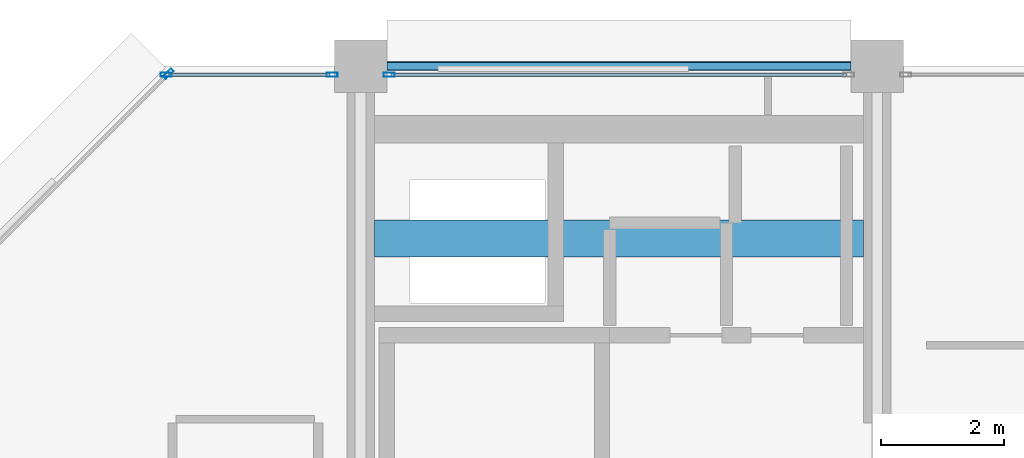
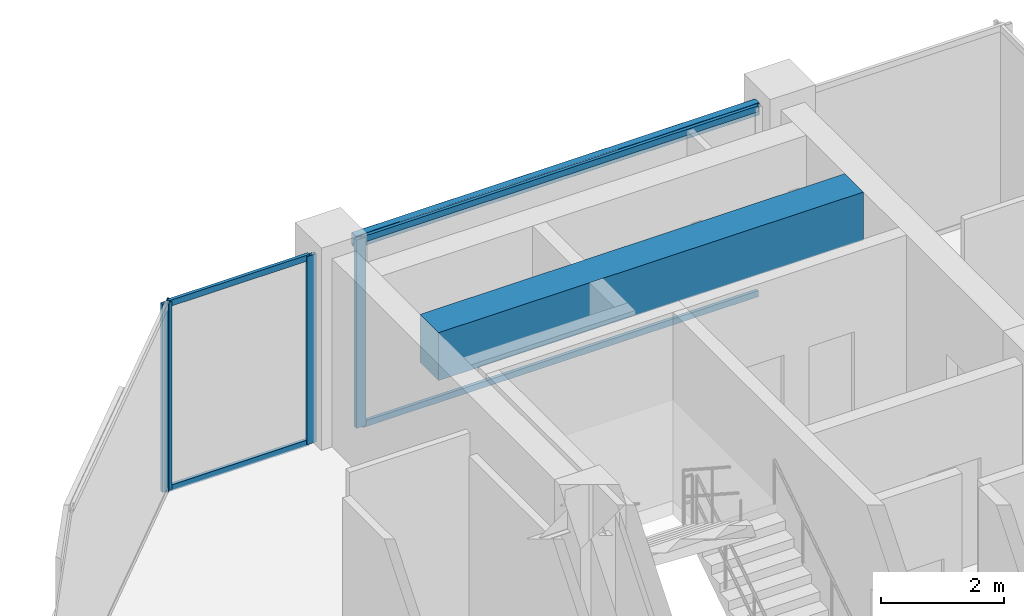
# One storey, part 17 of 25: 8 members, 2 beams, 3 elements without a shape of their own.
"""IFC4 building model written with IfcOpenShell, lengths in metres."""

import ifcopenshell
import ifcopenshell.guid

model = None  # the IFC model being written
_history = None  # IfcOwnerHistory: only IFC2X3 demands one
_inside = {}  # id of a spatial element -> (the spatial element, [elements in it])
_under = {}  # id of a project, library or spatial element -> (it, [spatial elements below it])
_declared = {}  # id of a project -> (the project, [libraries it declares])
_typed = {}  # id of a type object -> (the type object, [elements of that type])
_made_of = {}  # id of a material, layer set ... -> (it, [elements and type objects made of it])


def new_model(schema):
    """Start an empty IFC model of exactly this schema.

    Asked for "IFC4X3", IfcOpenShell would pick the latest addendum, in which some entities
    have other attributes; the version numbers below select the first issue.
    IFC2X3 requires an IfcOwnerHistory on every rooted entity: one is made here for all.
    """
    global model, _history
    if schema == "IFC4X3":
        model = ifcopenshell.file(schema_version=(4, 3, 0, 0))
    else:
        model = ifcopenshell.file(schema=schema)
    _inside.clear()
    _under.clear()
    _declared.clear()
    _typed.clear()
    _made_of.clear()
    _history = None
    if model.schema == "IFC2X3":
        org = make("IfcOrganization", Name="unknown")
        user = make(
            "IfcPersonAndOrganization",
            ThePerson=make("IfcPerson", FamilyName="unknown"),
            TheOrganization=org,
        )
        app = make(
            "IfcApplication",
            ApplicationDeveloper=org,
            Version="unknown",
            ApplicationFullName="unknown",
            ApplicationIdentifier="unknown",
        )
        _history = make(
            "IfcOwnerHistory",
            OwningUser=user,
            OwningApplication=app,
            ChangeAction="ADDED",
            CreationDate=0,
        )
    return model


def make(cls, **values):
    """One entity of the class cls with the attributes given. An attribute that is None is left unset."""
    return model.create_entity(
        cls, **{name: value for name, value in values.items() if value is not None}
    )


def rooted(cls, **values):
    """An entity with a GlobalId (a new one), such as an element, a storey or a relation."""
    return make(cls, GlobalId=ifcopenshell.guid.new(), OwnerHistory=_history, **values)


def si_unit(unit_type, name, prefix=None):
    """IfcSIUnit, for example si_unit("LENGTHUNIT", "METRE", prefix="MILLI")."""
    return make("IfcSIUnit", UnitType=unit_type, Prefix=prefix, Name=name)


def assignment(units):
    """IfcUnitAssignment: the units of a project."""
    return None if units is None else make("IfcUnitAssignment", Units=units)


def point(xyz):
    """IfcCartesianPoint."""
    return None if xyz is None else make("IfcCartesianPoint", Coordinates=xyz)


def direction(xyz):
    """IfcDirection."""
    return None if xyz is None else make("IfcDirection", DirectionRatios=xyz)


def frame(location, z_axis=None, x_axis=None):
    """IfcAxis2Placement3D, a coordinate frame: its origin and axes. An axis left out is left unset."""
    return make(
        "IfcAxis2Placement3D",
        Location=point(location),
        Axis=direction(z_axis),
        RefDirection=direction(x_axis),
    )


def frame_2d(location, x_axis=None):
    """IfcAxis2Placement2D, a coordinate frame in the plane: its origin and x axis."""
    return make(
        "IfcAxis2Placement2D", Location=point(location), RefDirection=direction(x_axis)
    )


def origin():
    """The frame at (0, 0, 0) with its axes left unset."""
    return frame((0.0, 0.0, 0.0))


def origin_2d():
    """The frame at (0, 0) in the plane with its x axis left unset."""
    return frame_2d((0.0, 0.0))


def place(relative_to, where):
    """IfcLocalPlacement: puts the frame where relative to a parent placement (None: the world)."""
    return make(
        "IfcLocalPlacement", PlacementRelTo=relative_to, RelativePlacement=where
    )


def context(
    kind, dimensions, precision=None, world=None, true_north=None, identifier=None
):
    """IfcGeometricRepresentationContext, for example the 3D "Model" context."""
    return make(
        "IfcGeometricRepresentationContext",
        ContextIdentifier=identifier,
        ContextType=kind,
        CoordinateSpaceDimension=dimensions,
        Precision=precision,
        WorldCoordinateSystem=world,
        TrueNorth=true_north,
    )


def subcontext(parent, identifier, kind, view, scale=None):
    """IfcGeometricRepresentationSubContext, for example "Body" below "Model"."""
    return make(
        "IfcGeometricRepresentationSubContext",
        ContextIdentifier=identifier,
        ContextType=kind,
        ParentContext=parent,
        TargetScale=scale,
        TargetView=view,
    )


def project(units=None, contexts=None):
    """IfcProject with its units and contexts."""
    return rooted(
        "IfcProject",
        Name="project",
        RepresentationContexts=contexts,
        UnitsInContext=assignment(units),
    )


def spatial(cls, under=None, at=None, **own):
    """A site, building, storey or space (cls), placed at a placement, below another one or the project."""
    s = rooted(cls, ObjectPlacement=at, **own)
    if under is not None:
        _under.setdefault(under.id(), (under, []))[1].append(s)
    return s


def profile(cls, at=None, kind="AREA", **sizes):
    """A parametric profile (cls). Its sizes go by their IFC names, for example OverallWidth=200.0."""
    return make(cls, ProfileType=kind, Position=at, **sizes)


def rectangle(**sizes):
    """IfcRectangleProfileDef."""
    return profile("IfcRectangleProfileDef", **sizes)


def hollow_rectangle(**sizes):
    """IfcRectangleHollowProfileDef."""
    return profile("IfcRectangleHollowProfileDef", **sizes)


def extrude(swept, where, along, depth):
    """IfcExtrudedAreaSolid: the profile swept, set in the frame where, extruded along a direction by depth."""
    return make(
        "IfcExtrudedAreaSolid",
        SweptArea=swept,
        Position=where,
        ExtrudedDirection=direction(along),
        Depth=depth,
    )


def shape(context_of_items, identifier, shape_type, items):
    """IfcShapeRepresentation: the items that make up one representation, for example the "Body"."""
    return make(
        "IfcShapeRepresentation",
        ContextOfItems=context_of_items,
        RepresentationIdentifier=identifier,
        RepresentationType=shape_type,
        Items=items,
    )


def material(Name=None, Category=None):
    """IfcMaterial."""
    return make("IfcMaterial", Name=Name, Category=Category)


def layer(
    of_material, thickness, ventilated=None, Name=None, Category=None, Priority=None
):
    """IfcMaterialLayer: one layer of a wall or slab, of a material (None: an air gap)."""
    return make(
        "IfcMaterialLayer",
        Material=of_material,
        LayerThickness=thickness,
        IsVentilated=ventilated,
        Name=Name,
        Category=Category,
        Priority=Priority,
    )


def layer_set(layers, Name=None):
    """IfcMaterialLayerSet."""
    return make("IfcMaterialLayerSet", MaterialLayers=layers, LayerSetName=Name)


def material_profile(
    of_material, cross_section, Name=None, Category=None, Priority=None
):
    """IfcMaterialProfile: a cross section and its material."""
    return make(
        "IfcMaterialProfile",
        Name=Name,
        Material=of_material,
        Profile=cross_section,
        Priority=Priority,
        Category=Category,
    )


def profile_set(profiles, Name=None, composite=None):
    """IfcMaterialProfileSet."""
    return make(
        "IfcMaterialProfileSet",
        Name=Name,
        MaterialProfiles=profiles,
        CompositeProfile=composite,
    )


def made_of(thing, what):
    """Note that an element or type object is made of a material, layer set ...; save() writes the relation."""
    if what is not None:
        _made_of.setdefault(what.id(), (what, []))[1].append(thing)
    return thing


def type_object(cls, material=None, **own):
    """A type object (cls), such as IfcWallType, which elements share."""
    return made_of(rooted(cls, **own), material)


def element(
    cls,
    number,
    at=None,
    inside=None,
    cuts=None,
    type_object=None,
    material=None,
    context=None,
    identifier="Body",
    shape_type=None,
    held_by="IfcProductDefinitionShape",
    body=None,
    shapes=None,
    **own,
):
    """One element of the class cls, such as IfcWall. Its Tag is "e" and its number.

    at: its placement. inside: the storey or other place that contains it. cuts: it is an
    opening in that element (IfcRelVoidsElement). A single representation is given by context,
    identifier, shape_type and body (its items); several are given by shapes. held_by: the class
    of the entity that holds the representations. save() writes the other relations.
    """
    e = rooted(cls, Tag="e%d" % number, ObjectPlacement=at, **own)
    if body is not None:
        shapes = [shape(context, identifier, shape_type, body)]
    if shapes is not None:
        e.Representation = make(held_by, Representations=shapes)
    if inside is not None:
        _inside.setdefault(inside.id(), (inside, []))[1].append(e)
    if cuts is not None:
        rooted(
            "IfcRelVoidsElement", RelatingBuildingElement=cuts, RelatedOpeningElement=e
        )
    if type_object is not None:
        _typed.setdefault(type_object.id(), (type_object, []))[1].append(e)
    return made_of(e, material)


def aggregate(whole, parts):
    """IfcRelAggregates: a whole, such as a stair, and the parts it consists of."""
    return rooted("IfcRelAggregates", RelatingObject=whole, RelatedObjects=parts)


def save(model, path):
    """Write the relations noted so far, then the file.

    IfcRelAggregates (storeys below a building ...), IfcRelContainedInSpatialStructure (elements
    in a storey), IfcRelDefinesByType, IfcRelAssociatesMaterial and IfcRelDeclares: one each for
    every whole, place, type object, material and project.
    """
    for whole, parts in _under.values():
        aggregate(whole, parts)
    for where, things in _inside.values():
        rooted(
            "IfcRelContainedInSpatialStructure",
            RelatedElements=things,
            RelatingStructure=where,
        )
    for kind, things in _typed.values():
        rooted("IfcRelDefinesByType", RelatedObjects=things, RelatingType=kind)
    for what, things in _made_of.values():
        rooted("IfcRelAssociatesMaterial", RelatedObjects=things, RelatingMaterial=what)
    for by, libraries in _declared.values():
        rooted("IfcRelDeclares", RelatingContext=by, RelatedDefinitions=libraries)
    model.write(path)


model = new_model("IFC4")

# Units and contexts
model_context = context("Model", 3, precision=1e-05, world=origin(), true_north=direction((0.0, 1.0)))
body_context = subcontext(model_context, "Body", "Model", "MODEL_VIEW")
ifc_project = project(units=[si_unit("LENGTHUNIT", "METRE"), si_unit("AREAUNIT", "SQUARE_METRE"), si_unit("VOLUMEUNIT", "CUBIC_METRE"), si_unit("PLANEANGLEUNIT", "RADIAN"), si_unit("MASSUNIT", "GRAM", prefix="KILO")], contexts=[model_context])

# Site, building, storey
site_placement = place(None, origin())
site = spatial("IfcSite", under=ifc_project, at=site_placement, CompositionType="ELEMENT")
building_placement = place(site_placement, origin())
building = spatial("IfcBuilding", under=site, at=building_placement, Name="Nerrivon Quay Data Exchange", CompositionType="ELEMENT")
storey_placement = place(building_placement, frame((0.0, 0.0, 302.199951171875)))
storey = spatial("IfcBuildingStorey", under=building, at=storey_placement, Name="L72", CompositionType="ELEMENT", Elevation=302.199951171875)

# Beams
ifc_material_1 = material(Name="Concrete N50 (50 MPa)", Category="concrete")
ifc_material_profile_1 = material_profile(ifc_material_1, rectangle(XDim=0.60009765625, YDim=0.949951171875, at=origin_2d()), Name="RC-CB-600x950")
ifc_profile_set_1 = profile_set([ifc_material_profile_1], Name="Concrete N50 (50 MPa)")
beam_type_1 = type_object("IfcBeamType", Name="BM-CB2-600x950", PredefinedType="LINTEL", material=ifc_profile_set_1)
beam_1_placement = place(storey_placement, frame((8.625, 39.199951171875, 3.25), z_axis=(1.0, 0.0, 0.0), x_axis=(0.0, 1.0, 0.0)))
element("IfcBeam", 1, at=beam_1_placement, inside=storey, type_object=beam_type_1, Name="L72 West Core Coupling Beam", PredefinedType="LINTEL", context=body_context, shape_type="SweptSolid", body=[
    extrude(rectangle(XDim=0.60009765625, YDim=0.949951171875, at=origin_2d()), origin(), (0.0, 0.0, 1.0), 7.949951171875),
])
ifc_material_2 = material(Name="Steel Grade C350L0 (350 MPa)", Category="steel")
ifc_material_profile_2 = material_profile(ifc_material_2, hollow_rectangle(XDim=0.14990234375, YDim=0.25, WallThickness=0.009033203125, InnerFilletRadius=0.013427734375, OuterFilletRadius=0.0224609375, at=origin_2d()), Name="250x150x9.0RHS")
ifc_profile_set_2 = profile_set([ifc_material_profile_2], Name="Steel Grade C350L0 (350 MPa)")
beam_type_2 = type_object("IfcBeamType", Name="BM-SP4-250x150RHS", PredefinedType="SPANDREL", material=ifc_profile_set_2)
beam_2_placement = place(storey_placement, frame((8.824951171875, 42.0, 3.60009765625), z_axis=(1.0, 0.0, 0.0), x_axis=(0.0, 1.0, 0.0)))
element("IfcBeam", 2, at=beam_2_placement, inside=storey, type_object=beam_type_2, Name="L72 EW Girder Y=42.0 (8.4..16.8)", PredefinedType="SPANDREL", context=body_context, shape_type="SweptSolid", body=[
    extrude(hollow_rectangle(XDim=0.14990234375, YDim=0.25, WallThickness=0.009033203125, InnerFilletRadius=0.013427734375, OuterFilletRadius=0.0224609375, at=origin_2d()), origin(), (0.0, 0.0, 1.0), 7.550048828125),
])

# Curtain wall, member
ifc_material_3 = material(Name="Anodised aluminium 6063-T6", Category="aluminium")
ifc_layer = layer(ifc_material_3, 0.195068359375)
ifc_layer_set = layer_set([ifc_layer], Name="Anodised aluminium 6063-T6")
curtain_wall_type = type_object("IfcCurtainWallType", Name="CW-SYS-06", PredefinedType="NOTDEFINED", material=ifc_layer_set)
curtain_wall_1_placement = place(storey_placement, origin())
curtain_wall_1 = element("IfcCurtainWall", 3, at=curtain_wall_1_placement, inside=storey, type_object=curtain_wall_type, Name="L72 Unitised Curtain Wall 13", PredefinedType="NOTDEFINED")
ifc_material_profile_3 = material_profile(ifc_material_3, hollow_rectangle(XDim=0.06494140625, YDim=0.179931640625, WallThickness=0.00341796875, at=origin_2d()), Name="ALU-MULL-180x65")
ifc_profile_set_3 = profile_set([ifc_material_profile_3], Name="Anodised aluminium 6063-T6")
member_type_1 = type_object("IfcMemberType", Name="CWM-180x65", PredefinedType="MULLION", material=ifc_profile_set_3)
member_1_placement = place(storey_placement, frame((5.2724609375, 41.87451171875, 0.0), z_axis=(0.0, 0.0, 1.0), x_axis=(-0.707106781187, 0.707106781187, 0.0)))
member_1 = element("IfcMember", 4, at=member_1_placement, type_object=member_type_1, Name="CW06 mullion 2", PredefinedType="MULLION", context=body_context, shape_type="SweptSolid", body=[
    extrude(hollow_rectangle(XDim=0.06494140625, YDim=0.179931640625, WallThickness=0.00341796875, at=origin_2d()), origin(), (0.0, 0.0, 1.0), 3.72509765625),
])
aggregate(curtain_wall_1, [member_1])

# Curtain wall, members
curtain_wall_2_placement = place(storey_placement, origin())
curtain_wall_2 = element("IfcCurtainWall", 5, at=curtain_wall_2_placement, inside=storey, type_object=curtain_wall_type, Name="L72 Unitised Curtain Wall 14", PredefinedType="NOTDEFINED")
member_2_placement = place(storey_placement, frame((5.237548828125, 41.860107421875, 0.0), z_axis=(0.0, 0.0, 1.0), x_axis=(0.0, 1.0, 0.0)))
member_2 = element("IfcMember", 6, at=member_2_placement, type_object=member_type_1, Name="CW06 mullion 1", PredefinedType="MULLION", context=body_context, shape_type="SweptSolid", body=[
    extrude(hollow_rectangle(XDim=0.06494140625, YDim=0.179931640625, WallThickness=0.00341796875, at=origin_2d()), origin(), (0.0, 0.0, 1.0), 3.72509765625),
])
member_3_placement = place(storey_placement, frame((7.9375, 41.860107421875, 0.0), z_axis=(0.0, 0.0, 1.0), x_axis=(0.0, 1.0, 0.0)))
member_3 = element("IfcMember", 7, at=member_3_placement, type_object=member_type_1, Name="CW06 mullion 2", PredefinedType="MULLION", context=body_context, shape_type="SweptSolid", body=[
    extrude(hollow_rectangle(XDim=0.06494140625, YDim=0.179931640625, WallThickness=0.00341796875, at=origin_2d()), origin(), (0.0, 0.0, 1.0), 3.72509765625),
])

# Curtain wall, member
curtain_wall_3_placement = place(storey_placement, origin())
curtain_wall_3 = element("IfcCurtainWall", 8, at=curtain_wall_3_placement, inside=storey, type_object=curtain_wall_type, Name="L72 Unitised Curtain Wall 15", PredefinedType="NOTDEFINED")
member_4_placement = place(storey_placement, frame((8.862548828125, 41.860107421875, 0.0), z_axis=(0.0, 0.0, 1.0), x_axis=(0.0, 1.0, 0.0)))
member_4 = element("IfcMember", 9, at=member_4_placement, type_object=member_type_1, Name="CW06 mullion 1", PredefinedType="MULLION", context=body_context, shape_type="SweptSolid", body=[
    extrude(hollow_rectangle(XDim=0.06494140625, YDim=0.179931640625, WallThickness=0.00341796875, at=origin_2d()), origin(), (0.0, 0.0, 1.0), 3.72509765625),
])

# Member
ifc_material_profile_4 = material_profile(ifc_material_3, hollow_rectangle(XDim=0.06005859375, YDim=0.1201171875, WallThickness=0.003173828125, at=origin_2d()), Name="ALU-TRAN-120x60")
ifc_profile_set_4 = profile_set([ifc_material_profile_4], Name="Anodised aluminium 6063-T6")
member_type_2 = type_object("IfcMemberType", Name="CWT-120x60", PredefinedType="USERDEFINED", material=ifc_profile_set_4)
member_5_placement = place(storey_placement, frame((5.27490234375, 41.860107421875, 0.032470703125), z_axis=(1.0, 0.0, 0.0), x_axis=(0.0, 1.0, 0.0)))
member_5 = element("IfcMember", 10, at=member_5_placement, type_object=member_type_2, Name="CW06 transom 1.1", ObjectType="TRANSOM", PredefinedType="USERDEFINED", context=body_context, shape_type="SweptSolid", body=[
    extrude(hollow_rectangle(XDim=0.06005859375, YDim=0.1201171875, WallThickness=0.003173828125, at=origin_2d()), origin(), (0.0, 0.0, 1.0), 2.625),
])

member_6_placement = place(storey_placement, frame((5.27490234375, 41.860107421875, 3.692626953125), z_axis=(1.0, 0.0, 0.0), x_axis=(0.0, 1.0, 0.0)))
member_6 = element("IfcMember", 11, at=member_6_placement, type_object=member_type_2, Name="CW06 transom 1.2", ObjectType="TRANSOM", PredefinedType="USERDEFINED", context=body_context, shape_type="SweptSolid", body=[
    extrude(hollow_rectangle(XDim=0.06005859375, YDim=0.1201171875, WallThickness=0.003173828125, at=origin_2d()), origin(), (0.0, 0.0, 1.0), 2.625),
])

aggregate(curtain_wall_2, [member_2, member_3, member_5, member_6])

member_7_placement = place(storey_placement, frame((8.89990234375, 41.860107421875, 0.032470703125), z_axis=(1.0, 0.0, 0.0), x_axis=(0.0, 1.0, 0.0)))
member_7 = element("IfcMember", 12, at=member_7_placement, type_object=member_type_2, Name="CW06 transom 1.1", ObjectType="TRANSOM", PredefinedType="USERDEFINED", context=body_context, shape_type="SweptSolid", body=[
    extrude(hollow_rectangle(XDim=0.06005859375, YDim=0.1201171875, WallThickness=0.003173828125, at=origin_2d()), origin(), (0.0, 0.0, 1.0), 7.400146484375),
])

member_8_placement = place(storey_placement, frame((8.89990234375, 41.860107421875, 3.692626953125), z_axis=(1.0, 0.0, 0.0), x_axis=(0.0, 1.0, 0.0)))
member_8 = element("IfcMember", 13, at=member_8_placement, type_object=member_type_2, Name="CW06 transom 1.2", ObjectType="TRANSOM", PredefinedType="USERDEFINED", context=body_context, shape_type="SweptSolid", body=[
    extrude(hollow_rectangle(XDim=0.06005859375, YDim=0.1201171875, WallThickness=0.003173828125, at=origin_2d()), origin(), (0.0, 0.0, 1.0), 7.400146484375),
])

aggregate(curtain_wall_3, [member_4, member_7, member_8])

save(model, "model.ifc")
